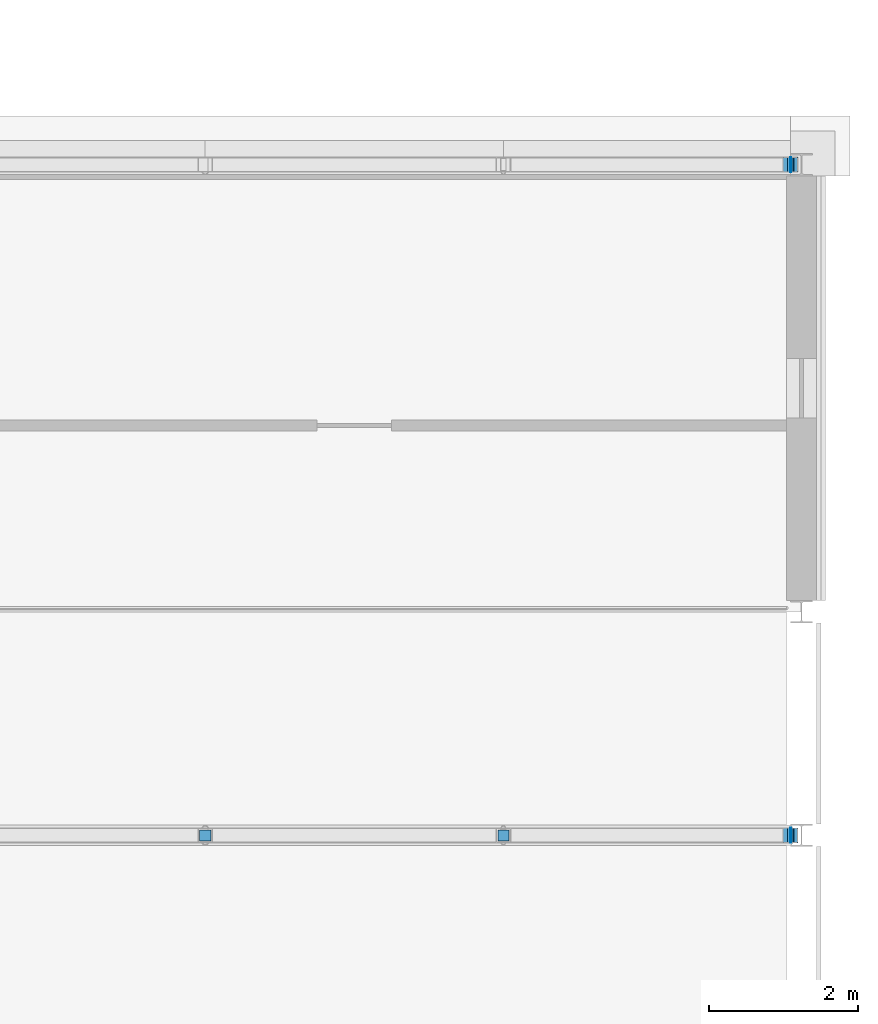
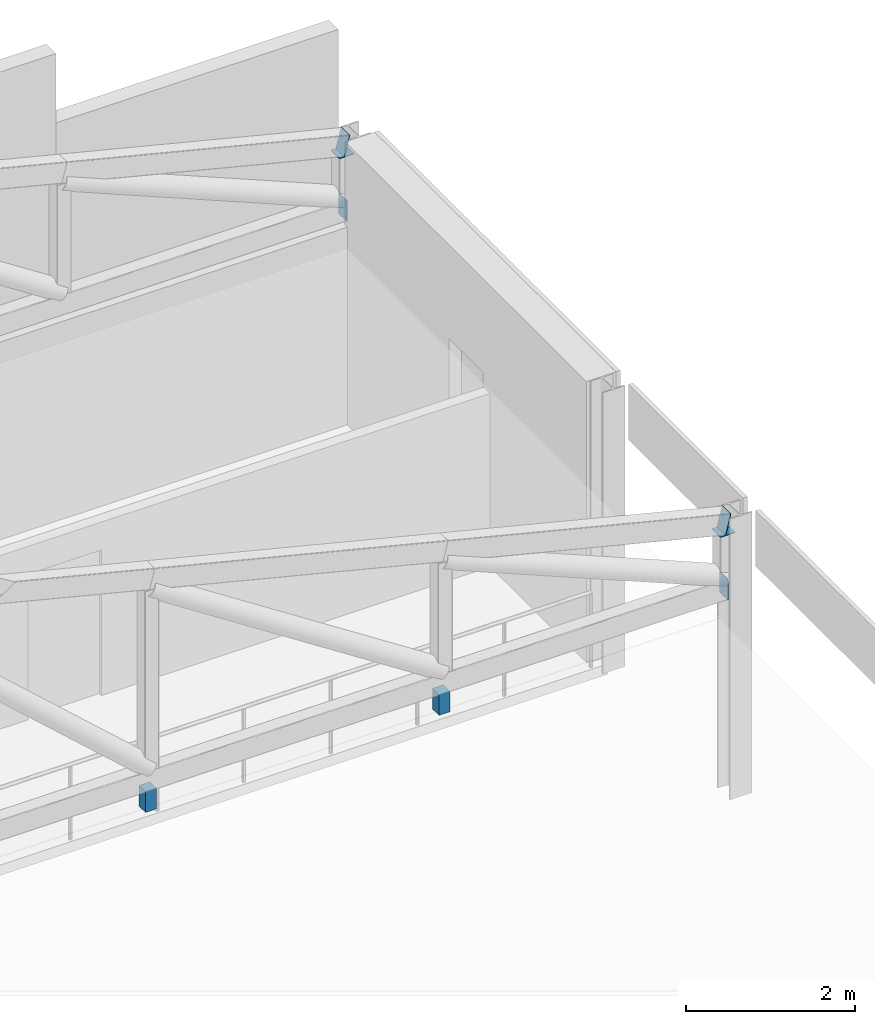
# One storey, part 126 of 149: 8 discrete accessories.
"""IFC4 building model written with IfcOpenShell, lengths in metres."""

from ifc_helpers import new_model, si_unit, direction, frame, origin, origin_2d, place, context, subcontext, project, spatial, rectangle, extrude, material, material_profile, profile_set, type_object, element, save


model = new_model("IFC4")

# Units and contexts
model_context = context("Model", 3, precision=1e-05, world=origin(), true_north=direction((0.0, 1.0)))
body_context = subcontext(model_context, "Body", "Model", "MODEL_VIEW")
ifc_project = project(units=[si_unit("LENGTHUNIT", "METRE"), si_unit("AREAUNIT", "SQUARE_METRE"), si_unit("VOLUMEUNIT", "CUBIC_METRE"), si_unit("PLANEANGLEUNIT", "RADIAN"), si_unit("MASSUNIT", "GRAM", prefix="KILO")], contexts=[model_context])

# Site, building, storey
site_placement = place(None, origin())
site = spatial("IfcSite", under=ifc_project, at=site_placement, CompositionType="ELEMENT")
building_placement = place(site_placement, origin())
building = spatial("IfcBuilding", under=site, at=building_placement, Name="Kallimachos Central Library", CompositionType="ELEMENT")
storey_placement = place(building_placement, frame((0.0, 0.0, 9.89990234375)))
storey = spatial("IfcBuildingStorey", under=building, at=storey_placement, Name="L02", CompositionType="ELEMENT", Elevation=9.89990234375)

# Discrete accessories
ifc_material_1 = material(Name="Steel S355J2", Category="steel")
ifc_material_profile_1 = material_profile(ifc_material_1, rectangle(XDim=0.199951171875, YDim=0.199951171875, at=origin_2d()), Name="End cap plate 10, 200x200")
ifc_profile_set_1 = profile_set([ifc_material_profile_1], Name="Steel S355J2")
discrete_accessory_type_1 = type_object("IfcDiscreteAccessoryType", Name="End cap plate 10, 200x200", PredefinedType="BRACKET", material=ifc_profile_set_1)
for number, where, z_axis, x_axis, name in (
    (1, (169.85009765625, 105.0, 3.78759765625), (0.0, 0.0, 1.0), (1.0, 0.0, 0.0), "End cap plate"),
    (2, (169.85009765625, 114.0, 3.78759765625), (0.0, 0.0, 1.0), (1.0, 0.0, 0.0), "End cap plate"),
):
    element("IfcDiscreteAccessory", number, at=place(storey_placement, frame(where, z_axis=z_axis, x_axis=x_axis)), inside=storey, type_object=discrete_accessory_type_1, Name=name, PredefinedType="BRACKET", context=body_context, shape_type="SweptSolid", body=[
        extrude(rectangle(XDim=0.199951171875, YDim=0.199951171875, at=origin_2d()), origin(), (0.0, 0.0, 1.0), 0.010009765625),
    ])
ifc_material_2 = material(Name="Steel S355J2", Category="steel")
ifc_material_profile_2 = material_profile(ifc_material_2, rectangle(XDim=0.199951171875, YDim=0.300048828125, at=origin_2d()), Name="End cap plate 10, 200x300")
ifc_profile_set_2 = profile_set([ifc_material_profile_2], Name="Steel S355J2")
discrete_accessory_type_2 = type_object("IfcDiscreteAccessoryType", Name="End cap plate 10, 200x300", PredefinedType="BRACKET", material=ifc_profile_set_2)
discrete_accessory_1_placement = place(storey_placement, frame((169.85009765625, 105.0, 3.0), z_axis=(1.0, 0.0, 0.0), x_axis=(0.0, 1.0, 0.0)))
element("IfcDiscreteAccessory", 3, at=discrete_accessory_1_placement, inside=storey, type_object=discrete_accessory_type_2, Name="End cap plate", PredefinedType="BRACKET", context=body_context, shape_type="SweptSolid", body=[
    extrude(rectangle(XDim=0.199951171875, YDim=0.300048828125, at=origin_2d()), origin(), (0.0, 0.0, 1.0), 0.010009765625),
])
discrete_accessory_2_placement = place(storey_placement, frame((169.85009765625, 105.0, 3.9375), z_axis=(0.968663866044, 0.0, -0.248375350268), x_axis=(0.0, 1.0, 0.0)))
element("IfcDiscreteAccessory", 4, at=discrete_accessory_2_placement, inside=storey, type_object=discrete_accessory_type_2, Name="End cap plate", PredefinedType="BRACKET", context=body_context, shape_type="SweptSolid", body=[
    extrude(rectangle(XDim=0.199951171875, YDim=0.300048828125, at=origin_2d()), origin(), (0.0, 0.0, 1.0), 0.009765625),
])
discrete_accessory_3_placement = place(storey_placement, frame((169.85009765625, 114.0, 3.0), z_axis=(1.0, 0.0, 0.0), x_axis=(0.0, 1.0, 0.0)))
element("IfcDiscreteAccessory", 5, at=discrete_accessory_3_placement, inside=storey, type_object=discrete_accessory_type_2, Name="End cap plate", PredefinedType="BRACKET", context=body_context, shape_type="SweptSolid", body=[
    extrude(rectangle(XDim=0.199951171875, YDim=0.300048828125, at=origin_2d()), origin(), (0.0, 0.0, 1.0), 0.010009765625),
])
discrete_accessory_4_placement = place(storey_placement, frame((169.85009765625, 114.0, 3.9375), z_axis=(0.968663866044, 0.0, -0.248375350268), x_axis=(0.0, 1.0, 0.0)))
element("IfcDiscreteAccessory", 6, at=discrete_accessory_4_placement, inside=storey, type_object=discrete_accessory_type_2, Name="End cap plate", PredefinedType="BRACKET", context=body_context, shape_type="SweptSolid", body=[
    extrude(rectangle(XDim=0.199951171875, YDim=0.300048828125, at=origin_2d()), origin(), (0.0, 0.0, 1.0), 0.009765625),
])
ifc_material_3 = material(Name="Steel S355J2", Category="steel")
discrete_accessory_type_3 = type_object("IfcDiscreteAccessoryType", Name="Hanger bracket", PredefinedType="BRACKET", material=ifc_material_3)
for number, where, z_axis, x_axis, name in (
    (7, (162.0, 105.0, 2.55029296875), (0.0, 0.0, 1.0), (1.0, 0.0, 0.0), "Ceiling hanger bracket"),
    (8, (166.0, 105.0, 2.55029296875), (0.0, 0.0, 1.0), (1.0, 0.0, 0.0), "Ceiling hanger bracket"),
):
    element("IfcDiscreteAccessory", number, at=place(storey_placement, frame(where, z_axis=z_axis, x_axis=x_axis)), inside=storey, type_object=discrete_accessory_type_3, Name=name, PredefinedType="BRACKET", context=body_context, shape_type="SweptSolid", body=[
        extrude(rectangle(XDim=0.14990234375, YDim=0.14990234375, at=origin_2d()), origin(), (0.0, 0.0, 1.0), 0.300048828125),
    ])

save(model, "model.ifc")
